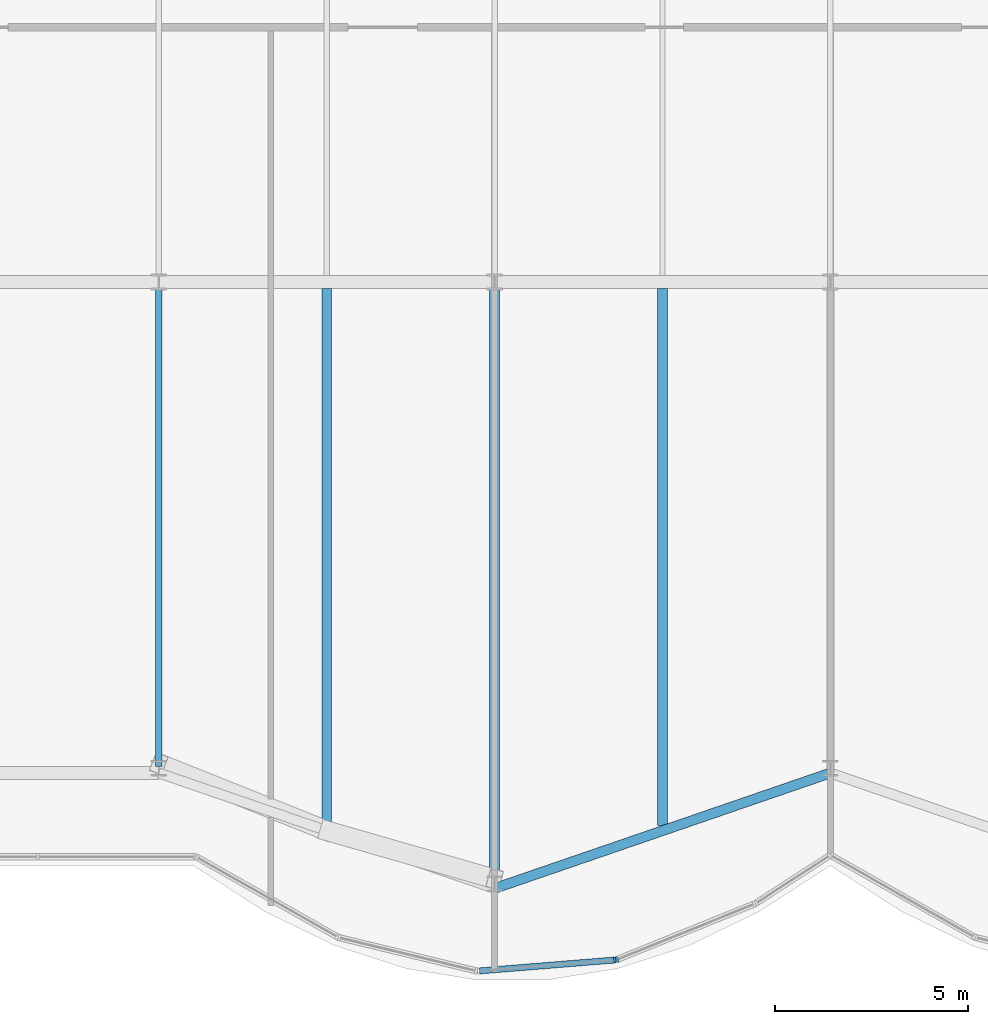
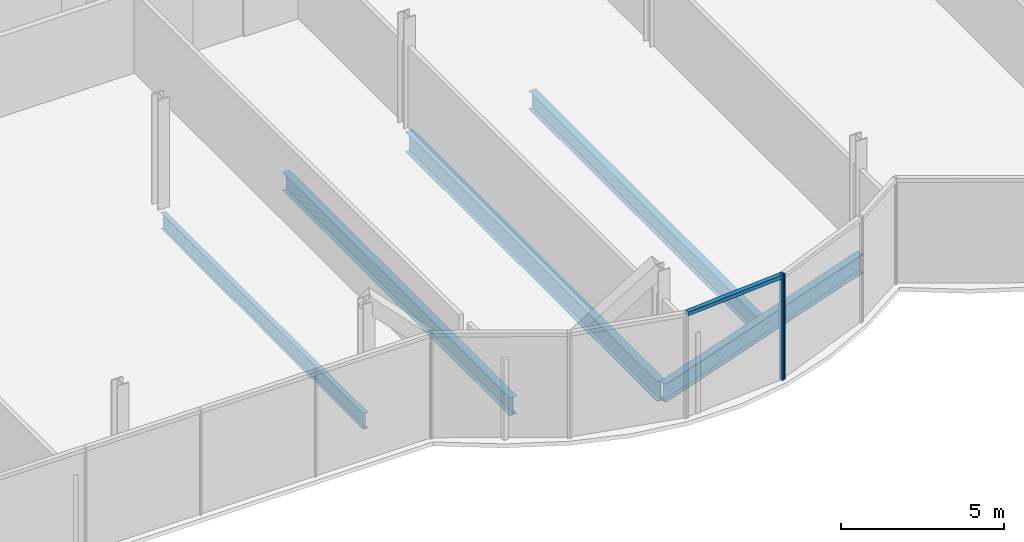
# One storey, part 5 of 21: 5 beams, 3 members, 1 element without a shape of its own.
"""IFC4 building model written with IfcOpenShell, lengths in metres."""

from ifc_helpers import new_model, si_unit, direction, frame, origin, origin_2d, place, context, subcontext, project, spatial, rectangle, i_section, extrude, material, material_profile, profile_set, type_object, element, aggregate, save


model = new_model("IFC4")

# Units and contexts
model_context = context("Model", 3, precision=1e-05, world=origin(), true_north=direction((0.0, 1.0)))
body_context = subcontext(model_context, "Body", "Model", "MODEL_VIEW")
ifc_project = project(units=[si_unit("LENGTHUNIT", "METRE"), si_unit("AREAUNIT", "SQUARE_METRE"), si_unit("VOLUMEUNIT", "CUBIC_METRE"), si_unit("PLANEANGLEUNIT", "RADIAN"), si_unit("MASSUNIT", "GRAM", prefix="KILO")], contexts=[model_context])

# Site, building, storey
site_placement = place(None, origin())
site = spatial("IfcSite", under=ifc_project, at=site_placement, CompositionType="ELEMENT")
building_placement = place(site_placement, origin())
building = spatial("IfcBuilding", under=site, at=building_placement, Name="Bicima Exchange Tower", CompositionType="ELEMENT")
storey_placement = place(building_placement, frame((0.0, 0.0, 122.699951171875)))
storey = spatial("IfcBuildingStorey", under=building, at=storey_placement, Name="L26", CompositionType="ELEMENT", Elevation=122.699951171875)

# Beams
ifc_material_1 = material(Name="Steel ASTM A992 Gr 50", Category="steel")
ifc_material_profile_1 = material_profile(ifc_material_1, i_section(OverallWidth=0.177978515625, OverallDepth=0.599365234375, WebThickness=0.010009765625, FlangeThickness=0.012939453125, at=origin_2d()))
ifc_profile_set_1 = profile_set([ifc_material_profile_1], Name="Steel ASTM A992 Gr 50")
beam_type_1 = type_object("IfcBeamType", Name="Floor beam W24x55", PredefinedType="JOIST", material=ifc_profile_set_1)
beam_1_placement = place(storey_placement, frame((-17.39990234375, -22.16259765625, -0.44970703125), z_axis=(0.0, -1.0, 0.0), x_axis=(1.0, 0.0, 0.0)))
element("IfcBeam", 1, at=beam_1_placement, inside=storey, type_object=beam_type_1, Name="Floor beam", PredefinedType="JOIST", context=body_context, shape_type="SweptSolid", body=[
    extrude(i_section(OverallWidth=0.177978515625, OverallDepth=0.599365234375, WebThickness=0.010009765625, FlangeThickness=0.012939453125, at=origin_2d()), origin(), (0.0, 0.0, 1.0), 12.394775390625),
])
ifc_material_profile_2 = material_profile(ifc_material_1, i_section(OverallWidth=0.25390625, OverallDepth=0.67822265625, WebThickness=0.01171875, FlangeThickness=0.016357421875, at=origin_2d()))
ifc_profile_set_2 = profile_set([ifc_material_profile_2], Name="Steel ASTM A992 Gr 50")
beam_type_2 = type_object("IfcBeamType", Name="Floor beam W27x84", PredefinedType="JOIST", material=ifc_profile_set_2)
for number, where, z_axis, x_axis, name in (
    (2, (-13.050048828125, -22.16259765625, -0.489013671875), (0.0, -1.0, 0.0), (1.0, 0.0, 0.0), "Floor beam"),
    (3, (-4.35009765625, -22.16259765625, -0.489013671875), (0.0, -1.0, 0.0), (1.0, 0.0, 0.0), "Floor beam"),
):
    element("IfcBeam", number, at=place(storey_placement, frame(where, z_axis=z_axis, x_axis=x_axis)), inside=storey, type_object=beam_type_2, Name=name, PredefinedType="JOIST", context=body_context, shape_type="SweptSolid", body=[
        extrude(i_section(OverallWidth=0.25390625, OverallDepth=0.67822265625, WebThickness=0.01171875, FlangeThickness=0.016357421875, at=origin_2d()), origin(), (0.0, 0.0, 1.0), 13.917236328125),
    ])
ifc_material_profile_3 = material_profile(ifc_material_1, i_section(OverallWidth=0.2666015625, OverallDepth=0.75439453125, WebThickness=0.01318359375, FlangeThickness=0.01708984375, at=origin_2d()))
ifc_profile_set_3 = profile_set([ifc_material_profile_3], Name="Steel ASTM A992 Gr 50")
beam_type_3 = type_object("IfcBeamType", Name="Floor beam W30x99", PredefinedType="JOIST", material=ifc_profile_set_3)
beam_2_placement = place(storey_placement, frame((-8.699951171875, -22.16259765625, -0.527099609375), z_axis=(0.0, -1.0, 0.0), x_axis=(1.0, 0.0, 0.0)))
element("IfcBeam", 4, at=beam_2_placement, inside=storey, type_object=beam_type_3, Name="Floor beam", PredefinedType="JOIST", context=body_context, shape_type="SweptSolid", body=[
    extrude(i_section(OverallWidth=0.2666015625, OverallDepth=0.75439453125, WebThickness=0.01318359375, FlangeThickness=0.01708984375, at=origin_2d()), origin(), (0.0, 0.0, 1.0), 15.412841796875),
])
ifc_material_profile_4 = material_profile(ifc_material_1, i_section(OverallWidth=0.256591796875, OverallDepth=0.693359375, WebThickness=0.014404296875, FlangeThickness=0.023681640625, at=origin_2d()))
ifc_profile_set_4 = profile_set([ifc_material_profile_4], Name="Steel ASTM A992 Gr 50")
beam_type_4 = type_object("IfcBeamType", Name="Front girder W27x114", PredefinedType="BEAM", material=ifc_profile_set_4)
beam_3_placement = place(storey_placement, frame((-8.699951171875, -37.711181640625, -0.49658203125), z_axis=(0.945666456746, 0.325138359143, 0.0), x_axis=(-0.325138359143, 0.945666456746, 0.0)))
element("IfcBeam", 5, at=beam_3_placement, inside=storey, type_object=beam_type_4, Name="Front girder", PredefinedType="BEAM", context=body_context, shape_type="SweptSolid", body=[
    extrude(i_section(OverallWidth=0.256591796875, OverallDepth=0.693359375, WebThickness=0.014404296875, FlangeThickness=0.023681640625, at=origin_2d()), origin(), (0.0, 0.0, 1.0), 9.19970703125),
])

# Curtain wall, members
ifc_material_2 = material(Name="Anodised bronze aluminium", Category="aluminium")
curtain_wall_type = type_object("IfcCurtainWallType", Name="Front glass wall", PredefinedType="NOTDEFINED", material=ifc_material_2)
curtain_wall_placement = place(storey_placement, origin())
curtain_wall = element("IfcCurtainWall", 6, at=curtain_wall_placement, inside=storey, type_object=curtain_wall_type, Name="Front glass wall L26 run 6", PredefinedType="NOTDEFINED")
ifc_material_profile_5 = material_profile(ifc_material_2, rectangle(XDim=0.159912109375, YDim=0.06005859375, at=origin_2d()))
ifc_profile_set_5 = profile_set([ifc_material_profile_5], Name="Anodised bronze aluminium")
member_type_1 = type_object("IfcMemberType", Name="Front glass wall mullion 60 x 160", PredefinedType="MULLION", material=ifc_profile_set_5)
member_1_placement = place(storey_placement, frame((-5.583984375, -39.564697265625, 0.0), z_axis=(0.0, 0.0, 1.0), x_axis=(-0.080588612633, 0.99674744821, 0.0)))
member_1 = element("IfcMember", 7, at=member_1_placement, type_object=member_type_1, Name="Front glass wall mullion 2", PredefinedType="MULLION", context=body_context, shape_type="SweptSolid", body=[
    extrude(rectangle(XDim=0.159912109375, YDim=0.06005859375, at=origin_2d()), origin(), (0.0, 0.0, 1.0), 3.949951171875),
])
member_2_placement = place(storey_placement, frame((-5.526123046875, -39.55126953125, 0.0), z_axis=(0.0, 0.0, 1.0), x_axis=(-0.374705304, 0.92714396679, 0.0)))
member_2 = element("IfcMember", 8, at=member_2_placement, type_object=member_type_1, Name="Front glass wall mullion 1", PredefinedType="MULLION", context=body_context, shape_type="SweptSolid", body=[
    extrude(rectangle(XDim=0.159912109375, YDim=0.06005859375, at=origin_2d()), origin(), (0.0, 0.0, 1.0), 3.949951171875),
])
ifc_material_profile_6 = material_profile(ifc_material_2, rectangle(XDim=0.159912109375, YDim=0.139892578125, at=origin_2d()))
ifc_profile_set_6 = profile_set([ifc_material_profile_6], Name="Anodised bronze aluminium")
member_type_2 = type_object("IfcMemberType", Name="Front glass wall transom 140 x 160", PredefinedType="USERDEFINED", material=ifc_profile_set_6)
member_3_placement = place(storey_placement, frame((-9.08837890625, -39.84814453125, 3.880126953125), z_axis=(0.9967456465, 0.080610893699, 0.0), x_axis=(-0.080610893699, 0.9967456465, 0.0)))
member_3 = element("IfcMember", 9, at=member_3_placement, type_object=member_type_2, Name="Front glass wall transom 1.1", ObjectType="TRANSOM", PredefinedType="USERDEFINED", context=body_context, shape_type="SweptSolid", body=[
    extrude(rectangle(XDim=0.159912109375, YDim=0.139892578125, at=origin_2d()), origin(), (0.0, 0.0, 1.0), 3.48583984375),
])
aggregate(curtain_wall, [member_1, member_3, member_2])

save(model, "model.ifc")
